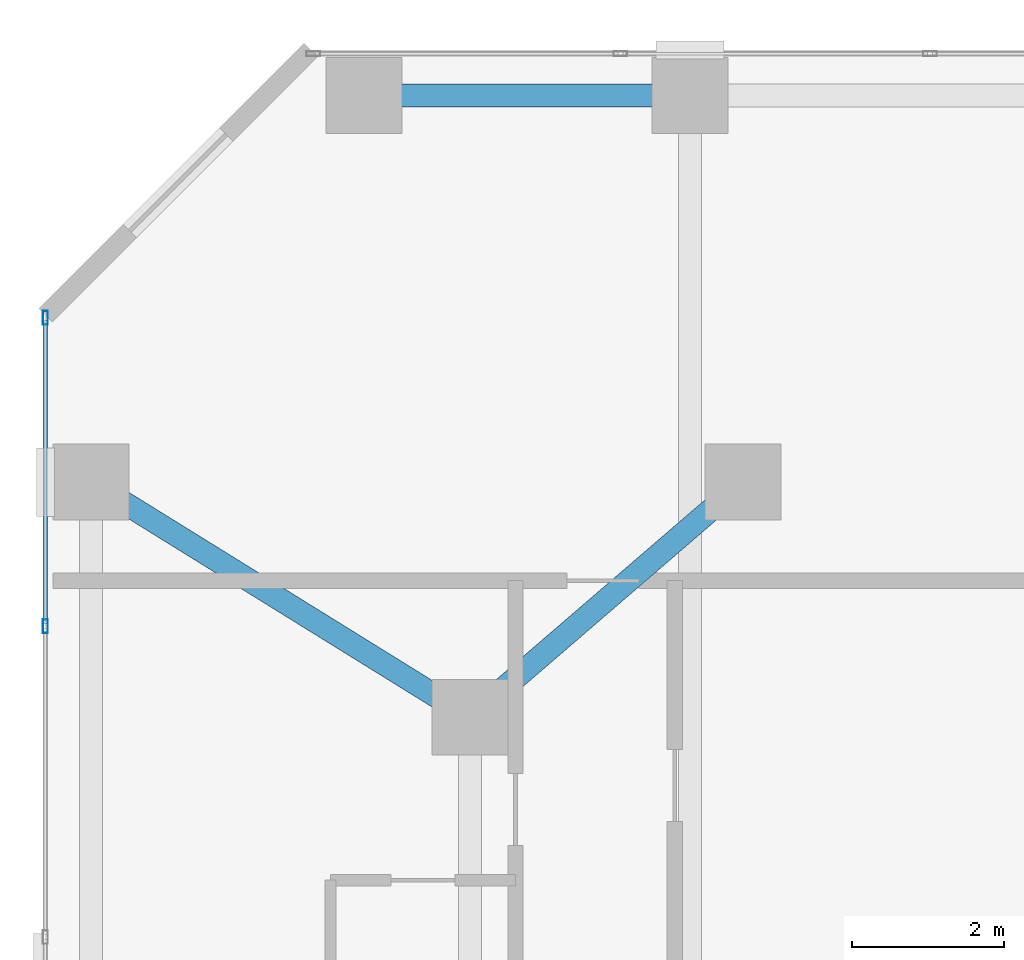
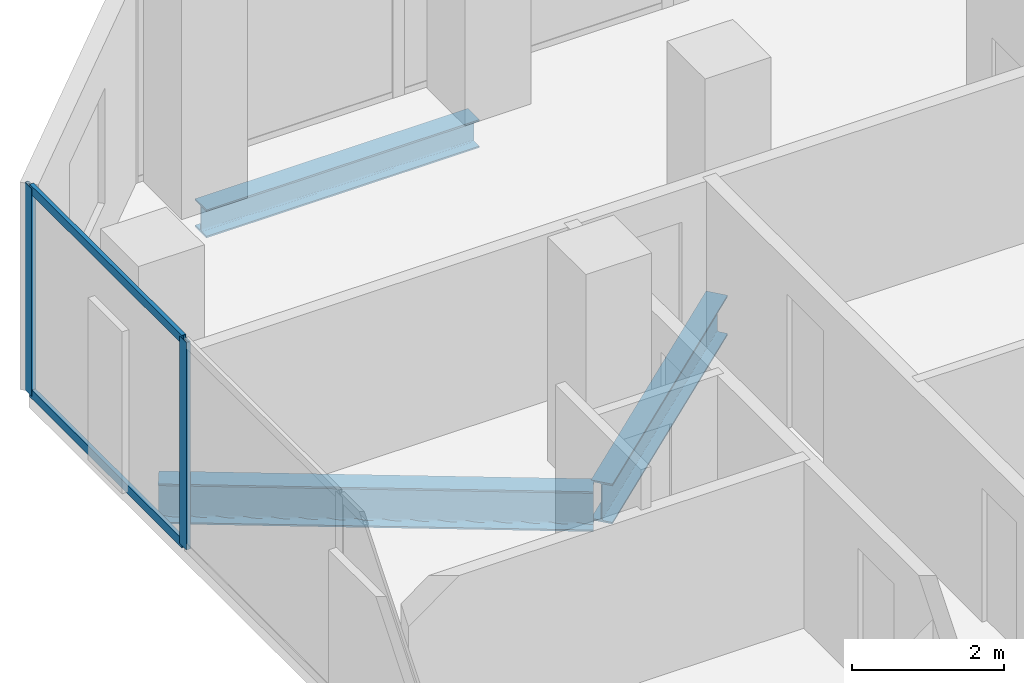
# One storey, part 18 of 31: 4 members, 3 beams, 1 element without a shape of its own.
"""IFC4 building model written with IfcOpenShell, lengths in metres."""

from ifc_helpers import new_model, si_unit, direction, frame, origin, origin_2d, place, context, subcontext, project, spatial, hollow_rectangle, i_section, extrude, material, layer, layer_set, material_profile, profile_set, type_object, element, aggregate, save


model = new_model("IFC4")

# Units and contexts
model_context = context("Model", 3, precision=1e-05, world=origin(), true_north=direction((0.0, 1.0)))
body_context = subcontext(model_context, "Body", "Model", "MODEL_VIEW")
ifc_project = project(units=[si_unit("LENGTHUNIT", "METRE"), si_unit("AREAUNIT", "SQUARE_METRE"), si_unit("VOLUMEUNIT", "CUBIC_METRE"), si_unit("PLANEANGLEUNIT", "RADIAN"), si_unit("MASSUNIT", "GRAM", prefix="KILO")], contexts=[model_context])

# Site, building, storey
site_placement = place(None, origin())
site = spatial("IfcSite", under=ifc_project, at=site_placement, CompositionType="ELEMENT")
building_placement = place(site_placement, origin())
building = spatial("IfcBuilding", under=site, at=building_placement, Name="Catumbela Crestline Tower", CompositionType="ELEMENT")
storey_placement = place(building_placement, frame((0.0, 0.0, 25.8)))
storey = spatial("IfcBuildingStorey", under=building, at=storey_placement, Name="L05", CompositionType="ELEMENT", Elevation=25.8)

# Beams
ifc_material_1 = material(Name="Structural steel S355J2", Category="steel")
ifc_material_profile_1 = material_profile(ifc_material_1, i_section(OverallWidth=0.3, OverallDepth=0.64, WebThickness=0.0135, FlangeThickness=0.026, FilletRadius=0.027, at=origin_2d()), Name="HEA 650")
ifc_profile_set_1 = profile_set([ifc_material_profile_1], Name="Structural steel S355J2")
beam_type_1 = type_object("IfcBeamType", Name="BG-HEA650", PredefinedType="BEAM", material=ifc_profile_set_1)
beam_1_placement = place(storey_placement, frame((0.668, 42.2578, -0.58), z_axis=(0.849908952007, -0.526929571479, 0.0), x_axis=(0.526929571479, 0.849908952007, 0.0)))
element("IfcBeam", 1, at=beam_1_placement, inside=storey, type_object=beam_type_1, Name="L05 Beam BM-L05-N13", PredefinedType="BEAM", context=body_context, shape_type="SweptSolid", body=[
    extrude(i_section(OverallWidth=0.3, OverallDepth=0.64, WebThickness=0.0135, FlangeThickness=0.026, FilletRadius=0.027, at=origin_2d()), origin(), (0.0, 0.0, 1.0), 5.723),
])
beam_2_placement = place(storey_placement, frame((5.6606, 39.2522, -0.58), z_axis=(0.757772392559, 0.652518966066, 0.0), x_axis=(-0.652518966066, 0.757772392559, 0.0)))
element("IfcBeam", 2, at=beam_2_placement, inside=storey, type_object=beam_type_1, Name="L05 Beam BM-L05-N14", PredefinedType="BEAM", context=body_context, shape_type="SweptSolid", body=[
    extrude(i_section(OverallWidth=0.3, OverallDepth=0.64, WebThickness=0.0135, FlangeThickness=0.026, FilletRadius=0.027, at=origin_2d()), origin(), (0.0, 0.0, 1.0), 4.5908),
])

# Curtain wall, members
ifc_material_2 = material(Name="Aluminium alloy AW-6060-T66", Category="aluminium")
ifc_layer = layer(ifc_material_2, 0.18, Name="Aluminium alloy AW-6060-T66")
ifc_layer_set = layer_set([ifc_layer], Name="Aluminium alloy AW-6060-T66")
curtain_wall_type = type_object("IfcCurtainWallType", Name="CWU-Z1", PredefinedType="USERDEFINED", material=ifc_layer_set)
curtain_wall_placement = place(storey_placement, origin())
curtain_wall = element("IfcCurtainWall", 3, at=curtain_wall_placement, inside=storey, type_object=curtain_wall_type, Name="L05 Unitised Curtain Wall CW-L05-E9S1", ObjectType="UNITISED", PredefinedType="USERDEFINED")
ifc_material_profile_2 = material_profile(ifc_material_2, hollow_rectangle(XDim=0.065, YDim=0.18, WallThickness=0.004, at=origin_2d()), Name="ALU 180x65x4")
ifc_profile_set_2 = profile_set([ifc_material_profile_2], Name="Aluminium alloy AW-6060-T66")
member_type_1 = type_object("IfcMemberType", Name="MUL-180X65", PredefinedType="MULLION", material=ifc_profile_set_2)
member_1_placement = place(storey_placement, frame((0.0, 44.4675, 0.0), z_axis=(0.0, 0.0, 1.0), x_axis=(1.0, 0.0, 0.0)))
member_1 = element("IfcMember", 4, at=member_1_placement, type_object=member_type_1, Name="CWU-Z1 mullion 1", PredefinedType="MULLION", context=body_context, shape_type="SweptSolid", body=[
    extrude(hollow_rectangle(XDim=0.065, YDim=0.18, WallThickness=0.004, at=origin_2d()), origin(), (0.0, 0.0, 1.0), 3.33),
])
member_2_placement = place(storey_placement, frame((0.0, 40.4, 0.0), z_axis=(0.0, 0.0, 1.0), x_axis=(1.0, 0.0, 0.0)))
member_2 = element("IfcMember", 5, at=member_2_placement, type_object=member_type_1, Name="CWU-Z1 mullion 2", PredefinedType="MULLION", context=body_context, shape_type="SweptSolid", body=[
    extrude(hollow_rectangle(XDim=0.065, YDim=0.18, WallThickness=0.004, at=origin_2d()), origin(), (0.0, 0.0, 1.0), 3.33),
])

# Beam
ifc_material_profile_3 = material_profile(ifc_material_1, i_section(OverallWidth=0.3, OverallDepth=0.45, WebThickness=0.014, FlangeThickness=0.026, FilletRadius=0.027, at=origin_2d()), Name="HEB 450")
ifc_profile_set_3 = profile_set([ifc_material_profile_3], Name="Structural steel S355J2")
beam_type_2 = type_object("IfcBeamType", Name="BS-HEB450", PredefinedType="SPANDREL", material=ifc_profile_set_3)
beam_3_placement = place(storey_placement, frame((4.28, 47.4, -0.485), z_axis=(1.0, 0.0, 0.0), x_axis=(0.0, 1.0, 0.0)))
element("IfcBeam", 6, at=beam_3_placement, inside=storey, type_object=beam_type_2, Name="L05 Spandrel SP-L05-NF19", PredefinedType="SPANDREL", context=body_context, shape_type="SweptSolid", body=[
    extrude(i_section(OverallWidth=0.3, OverallDepth=0.45, WebThickness=0.014, FlangeThickness=0.026, FilletRadius=0.027, at=origin_2d()), origin(), (0.0, 0.0, 1.0), 4.14),
])

# Member
ifc_material_profile_4 = material_profile(ifc_material_2, hollow_rectangle(XDim=0.06, YDim=0.14, WallThickness=0.004, at=origin_2d()), Name="ALU 140x60x4")
ifc_profile_set_4 = profile_set([ifc_material_profile_4], Name="Aluminium alloy AW-6060-T66")
member_type_2 = type_object("IfcMemberType", Name="TRN-140X60", PredefinedType="USERDEFINED", material=ifc_profile_set_4)
member_3_placement = place(storey_placement, frame((0.0, 44.435, 0.03), z_axis=(0.0, -1.0, 0.0), x_axis=(1.0, 0.0, 0.0)))
member_3 = element("IfcMember", 7, at=member_3_placement, type_object=member_type_2, Name="CWU-Z1 transom 1.1", ObjectType="TRANSOM", PredefinedType="USERDEFINED", context=body_context, shape_type="SweptSolid", body=[
    extrude(hollow_rectangle(XDim=0.06, YDim=0.14, WallThickness=0.004, at=origin_2d()), origin(), (0.0, 0.0, 1.0), 4.0025),
])

member_4_placement = place(storey_placement, frame((0.0, 44.435, 3.3), z_axis=(0.0, -1.0, 0.0), x_axis=(1.0, 0.0, 0.0)))
member_4 = element("IfcMember", 8, at=member_4_placement, type_object=member_type_2, Name="CWU-Z1 transom 1.2", ObjectType="TRANSOM", PredefinedType="USERDEFINED", context=body_context, shape_type="SweptSolid", body=[
    extrude(hollow_rectangle(XDim=0.06, YDim=0.14, WallThickness=0.004, at=origin_2d()), origin(), (0.0, 0.0, 1.0), 4.0025),
])

aggregate(curtain_wall, [member_1, member_2, member_3, member_4])

save(model, "model.ifc")
